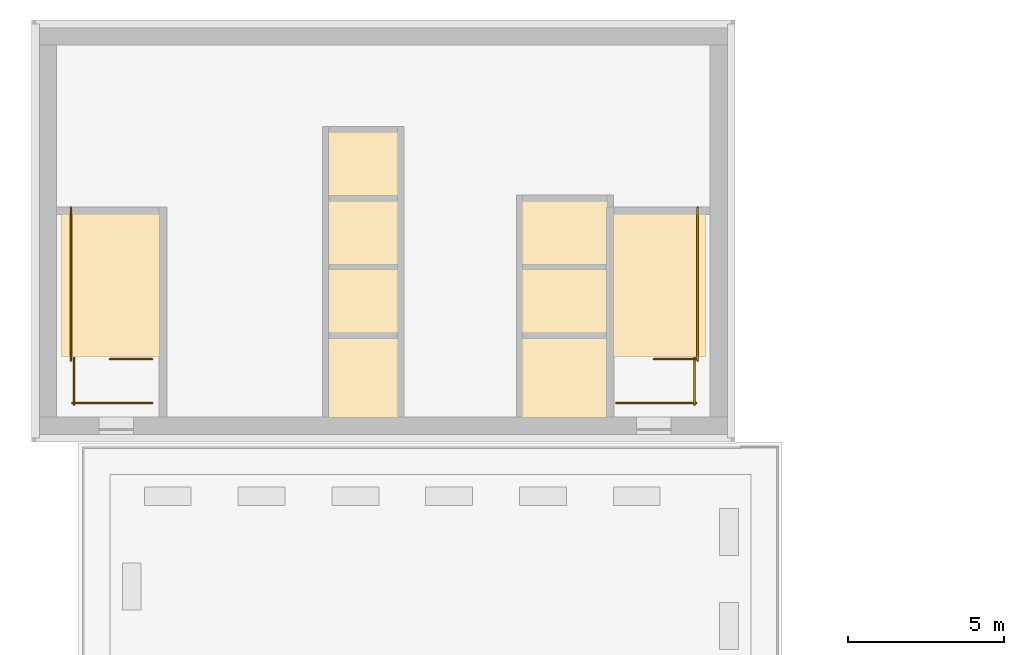
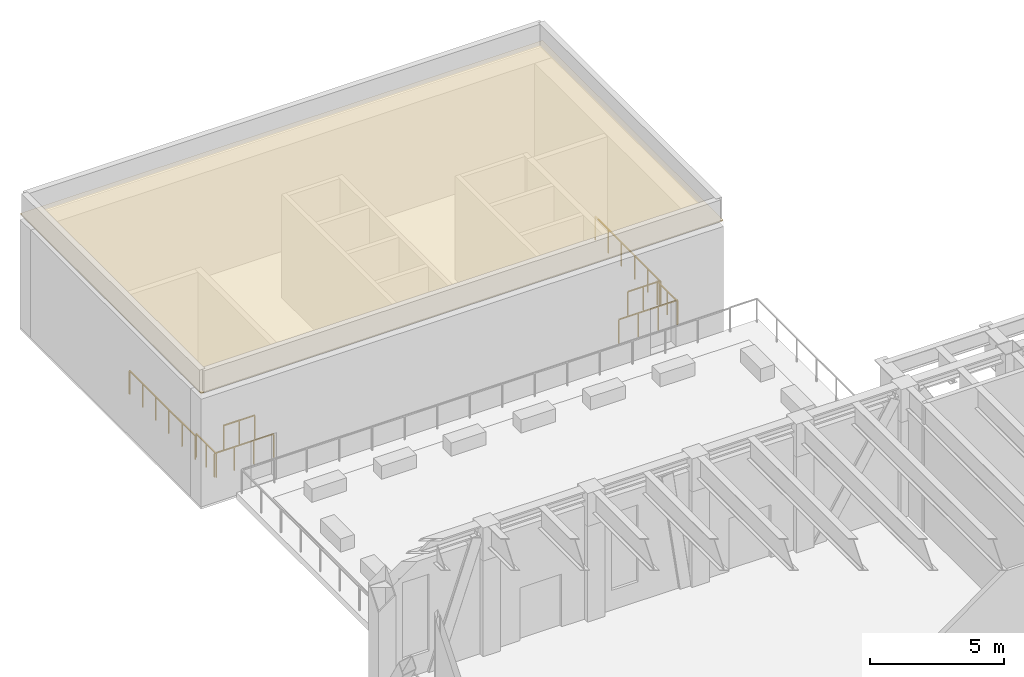
# One storey, part 19 of 20: 8 railings, 1 covering.
"""IFC4 building model written with IfcOpenShell, lengths in metres."""

from ifc_helpers import new_model, si_unit, direction, frame, origin, origin_2d, place, context, subcontext, project, spatial, polyline, rectangle, outline, extrude, material, layer, layer_set, type_object, element, save


model = new_model("IFC4")

# Units and contexts
model_context = context("Model", 3, precision=1e-05, world=origin(), true_north=direction((0.0, 1.0)))
body_context = subcontext(model_context, "Body", "Model", "MODEL_VIEW")
ifc_project = project(units=[si_unit("LENGTHUNIT", "METRE"), si_unit("AREAUNIT", "SQUARE_METRE"), si_unit("VOLUMEUNIT", "CUBIC_METRE"), si_unit("PLANEANGLEUNIT", "RADIAN"), si_unit("MASSUNIT", "GRAM", prefix="KILO")], contexts=[model_context])

# Site, building, storey
site_placement = place(None, origin())
site = spatial("IfcSite", under=ifc_project, at=site_placement, CompositionType="ELEMENT")
building_placement = place(site_placement, origin())
building = spatial("IfcBuilding", under=site, at=building_placement, Name="Sennacour Bend Tower", CompositionType="ELEMENT")
storey_placement = place(building_placement, frame((0.0, 0.0, 243.0)))
storey = spatial("IfcBuildingStorey", under=building, at=storey_placement, Name="L56", CompositionType="ELEMENT", Elevation=243.0)

# Covering
ifc_material_1 = material(Name="Bituminous roofing membrane")
ifc_layer = layer(ifc_material_1, 0.0400390625, Name="Bituminous roofing membrane")
ifc_layer_set = layer_set([ifc_layer], Name="Bituminous roofing membrane")
covering_type = type_object("IfcCoveringType", Name="COV-ROOFING-40", PredefinedType="ROOFING", material=ifc_layer_set)
covering_placement = place(storey_placement, frame((0.0, 0.0, 5.0)))
element("IfcCovering", 1, at=covering_placement, inside=storey, type_object=covering_type, Name="Roofing Core B head-house", PredefinedType="ROOFING", context=body_context, shape_type="SweptSolid", body=[
    extrude(outline(polyline([(22.489990234375, 36.010009765625), (0.010009765625, 36.010009765625), (0.010009765625, 49.489990234375), (22.489990234375, 49.489990234375), (22.489990234375, 36.010009765625)])), origin(), (0.0, 0.0, 1.0), 0.0400390625),
])

# Railings
ifc_material_2 = material(Name="Stainless steel", Category="steel")
railing_type = type_object("IfcRailingType", Name="RL-GUARD-1100", PredefinedType="GUARDRAIL", material=ifc_material_2)
railing_1_placement = place(storey_placement, frame((3.85009765625, 38.64990234375, 0.0)))
element("IfcRailing", 2, at=railing_1_placement, inside=storey, type_object=railing_type, Name="L56 SB1 top well guard 1", PredefinedType="GUARDRAIL", context=body_context, shape_type="SweptSolid", body=[
    extrude(rectangle(XDim=0.048095703125, YDim=0.048095703125, at=origin_2d()), frame((0.0, 0.0, 1.076171875), z_axis=(-1.0, 0.0, 0.0), x_axis=(0.0, -1.0, 0.0)), (0.0, 0.0, 1.0), 1.35009765625),
    extrude(rectangle(XDim=0.0419921875, YDim=0.0419921875, at=origin_2d()), origin(), (0.0, 0.0, 1.0), 1.052001953125),
    extrude(rectangle(XDim=0.0419921875, YDim=0.0419921875, at=origin_2d()), frame((-0.675048828125, 0.0, 0.0)), (0.0, 0.0, 1.0), 1.052001953125),
    extrude(rectangle(XDim=0.0419921875, YDim=0.0419921875, at=origin_2d()), frame((-1.35009765625, 0.0, 0.0)), (0.0, 0.0, 1.0), 1.052001953125),
])
railing_2_placement = place(storey_placement, frame((1.25, 38.60009765625, 0.0)))
element("IfcRailing", 3, at=railing_2_placement, inside=storey, type_object=railing_type, Name="L56 SB1 top well guard 2", PredefinedType="GUARDRAIL", context=body_context, shape_type="SweptSolid", body=[
    extrude(rectangle(XDim=0.048095703125, YDim=0.048095703125, at=origin_2d()), frame((0.0, 0.0, 1.076171875), z_axis=(0.0, 1.0, 0.0), x_axis=(-1.0, 0.0, 0.0)), (0.0, 0.0, 1.0), 4.89990234375),
    extrude(rectangle(XDim=0.0419921875, YDim=0.0419921875, at=origin_2d()), origin(), (0.0, 0.0, 1.0), 1.052001953125),
    extrude(rectangle(XDim=0.0419921875, YDim=0.0419921875, at=origin_2d()), frame((0.0, 0.97998046875, 0.0)), (0.0, 0.0, 1.0), 1.052001953125),
    extrude(rectangle(XDim=0.0419921875, YDim=0.0419921875, at=origin_2d()), frame((0.0, 1.9599609375, 0.0)), (0.0, 0.0, 1.0), 1.052001953125),
    extrude(rectangle(XDim=0.0419921875, YDim=0.0419921875, at=origin_2d()), frame((0.0, 2.93994140625, 0.0)), (0.0, 0.0, 1.0), 1.052001953125),
    extrude(rectangle(XDim=0.0419921875, YDim=0.0419921875, at=origin_2d()), frame((0.0, 3.919921875, 0.0)), (0.0, 0.0, 1.0), 1.052001953125),
    extrude(rectangle(XDim=0.0419921875, YDim=0.0419921875, at=origin_2d()), frame((0.0, 4.89990234375, 0.0)), (0.0, 0.0, 1.0), 1.052001953125),
])
railing_3_placement = place(storey_placement, frame((1.35009765625, 37.199951171875, 0.0)))
element("IfcRailing", 4, at=railing_3_placement, inside=storey, type_object=railing_type, Name="L56 SB1 top well guard 3", PredefinedType="GUARDRAIL", context=body_context, shape_type="SweptSolid", body=[
    extrude(rectangle(XDim=0.048095703125, YDim=0.048095703125, at=origin_2d()), frame((0.0, 0.0, 1.076171875), z_axis=(0.0, 1.0, 0.0), x_axis=(-1.0, 0.0, 0.0)), (0.0, 0.0, 1.0), 1.5),
    extrude(rectangle(XDim=0.0419921875, YDim=0.0419921875, at=origin_2d()), origin(), (0.0, 0.0, 1.0), 1.052001953125),
    extrude(rectangle(XDim=0.0419921875, YDim=0.0419921875, at=origin_2d()), frame((0.0, 0.75, 0.0)), (0.0, 0.0, 1.0), 1.052001953125),
    extrude(rectangle(XDim=0.0419921875, YDim=0.0419921875, at=origin_2d()), frame((0.0, 1.5, 0.0)), (0.0, 0.0, 1.0), 1.052001953125),
])
railing_4_placement = place(storey_placement, frame((3.85009765625, 37.25, 0.0)))
element("IfcRailing", 5, at=railing_4_placement, inside=storey, type_object=railing_type, Name="L56 SB1 top well guard 4", PredefinedType="GUARDRAIL", context=body_context, shape_type="SweptSolid", body=[
    extrude(rectangle(XDim=0.048095703125, YDim=0.048095703125, at=origin_2d()), frame((0.0, 0.0, 1.076171875), z_axis=(-1.0, 0.0, 0.0), x_axis=(0.0, -1.0, 0.0)), (0.0, 0.0, 1.0), 2.550048828125),
    extrude(rectangle(XDim=0.0419921875, YDim=0.0419921875, at=origin_2d()), origin(), (0.0, 0.0, 1.0), 1.052001953125),
    extrude(rectangle(XDim=0.0419921875, YDim=0.0419921875, at=origin_2d()), frame((-0.85009765625, 0.0, 0.0)), (0.0, 0.0, 1.0), 1.052001953125),
    extrude(rectangle(XDim=0.0419921875, YDim=0.0419921875, at=origin_2d()), frame((-1.699951171875, 0.0, 0.0)), (0.0, 0.0, 1.0), 1.052001953125),
    extrude(rectangle(XDim=0.0419921875, YDim=0.0419921875, at=origin_2d()), frame((-2.550048828125, 0.0, 0.0)), (0.0, 0.0, 1.0), 1.052001953125),
])
railing_5_placement = place(storey_placement, frame((21.25, 38.64990234375, 0.0)))
element("IfcRailing", 6, at=railing_5_placement, inside=storey, type_object=railing_type, Name="L56 SB2 top well guard 1", PredefinedType="GUARDRAIL", context=body_context, shape_type="SweptSolid", body=[
    extrude(rectangle(XDim=0.048095703125, YDim=0.048095703125, at=origin_2d()), frame((0.0, 0.0, 1.076171875), z_axis=(-1.0, 0.0, 0.0), x_axis=(0.0, -1.0, 0.0)), (0.0, 0.0, 1.0), 1.35009765625),
    extrude(rectangle(XDim=0.0419921875, YDim=0.0419921875, at=origin_2d()), origin(), (0.0, 0.0, 1.0), 1.052001953125),
    extrude(rectangle(XDim=0.0419921875, YDim=0.0419921875, at=origin_2d()), frame((-0.675048828125, 0.0, 0.0)), (0.0, 0.0, 1.0), 1.052001953125),
    extrude(rectangle(XDim=0.0419921875, YDim=0.0419921875, at=origin_2d()), frame((-1.35009765625, 0.0, 0.0)), (0.0, 0.0, 1.0), 1.052001953125),
])
railing_6_placement = place(storey_placement, frame((21.300048828125, 38.60009765625, 0.0)))
element("IfcRailing", 7, at=railing_6_placement, inside=storey, type_object=railing_type, Name="L56 SB2 top well guard 2", PredefinedType="GUARDRAIL", context=body_context, shape_type="SweptSolid", body=[
    extrude(rectangle(XDim=0.048095703125, YDim=0.048095703125, at=origin_2d()), frame((0.0, 0.0, 1.076171875), z_axis=(0.0, 1.0, 0.0), x_axis=(-1.0, 0.0, 0.0)), (0.0, 0.0, 1.0), 4.89990234375),
    extrude(rectangle(XDim=0.0419921875, YDim=0.0419921875, at=origin_2d()), origin(), (0.0, 0.0, 1.0), 1.052001953125),
    extrude(rectangle(XDim=0.0419921875, YDim=0.0419921875, at=origin_2d()), frame((0.0, 0.97998046875, 0.0)), (0.0, 0.0, 1.0), 1.052001953125),
    extrude(rectangle(XDim=0.0419921875, YDim=0.0419921875, at=origin_2d()), frame((0.0, 1.9599609375, 0.0)), (0.0, 0.0, 1.0), 1.052001953125),
    extrude(rectangle(XDim=0.0419921875, YDim=0.0419921875, at=origin_2d()), frame((0.0, 2.93994140625, 0.0)), (0.0, 0.0, 1.0), 1.052001953125),
    extrude(rectangle(XDim=0.0419921875, YDim=0.0419921875, at=origin_2d()), frame((0.0, 3.919921875, 0.0)), (0.0, 0.0, 1.0), 1.052001953125),
    extrude(rectangle(XDim=0.0419921875, YDim=0.0419921875, at=origin_2d()), frame((0.0, 4.89990234375, 0.0)), (0.0, 0.0, 1.0), 1.052001953125),
])
railing_7_placement = place(storey_placement, frame((21.199951171875, 37.199951171875, 0.0)))
element("IfcRailing", 8, at=railing_7_placement, inside=storey, type_object=railing_type, Name="L56 SB2 top well guard 3", PredefinedType="GUARDRAIL", context=body_context, shape_type="SweptSolid", body=[
    extrude(rectangle(XDim=0.048095703125, YDim=0.048095703125, at=origin_2d()), frame((0.0, 0.0, 1.076171875), z_axis=(0.0, 1.0, 0.0), x_axis=(-1.0, 0.0, 0.0)), (0.0, 0.0, 1.0), 1.5),
    extrude(rectangle(XDim=0.0419921875, YDim=0.0419921875, at=origin_2d()), origin(), (0.0, 0.0, 1.0), 1.052001953125),
    extrude(rectangle(XDim=0.0419921875, YDim=0.0419921875, at=origin_2d()), frame((0.0, 0.75, 0.0)), (0.0, 0.0, 1.0), 1.052001953125),
    extrude(rectangle(XDim=0.0419921875, YDim=0.0419921875, at=origin_2d()), frame((0.0, 1.5, 0.0)), (0.0, 0.0, 1.0), 1.052001953125),
])
railing_8_placement = place(storey_placement, frame((21.25, 37.25, 0.0)))
element("IfcRailing", 9, at=railing_8_placement, inside=storey, type_object=railing_type, Name="L56 SB2 top well guard 4", PredefinedType="GUARDRAIL", context=body_context, shape_type="SweptSolid", body=[
    extrude(rectangle(XDim=0.048095703125, YDim=0.048095703125, at=origin_2d()), frame((0.0, 0.0, 1.076171875), z_axis=(-1.0, 0.0, 0.0), x_axis=(0.0, -1.0, 0.0)), (0.0, 0.0, 1.0), 2.550048828125),
    extrude(rectangle(XDim=0.0419921875, YDim=0.0419921875, at=origin_2d()), origin(), (0.0, 0.0, 1.0), 1.052001953125),
    extrude(rectangle(XDim=0.0419921875, YDim=0.0419921875, at=origin_2d()), frame((-0.85009765625, 0.0, 0.0)), (0.0, 0.0, 1.0), 1.052001953125),
    extrude(rectangle(XDim=0.0419921875, YDim=0.0419921875, at=origin_2d()), frame((-1.699951171875, 0.0, 0.0)), (0.0, 0.0, 1.0), 1.052001953125),
    extrude(rectangle(XDim=0.0419921875, YDim=0.0419921875, at=origin_2d()), frame((-2.550048828125, 0.0, 0.0)), (0.0, 0.0, 1.0), 1.052001953125),
])

save(model, "model.ifc")
